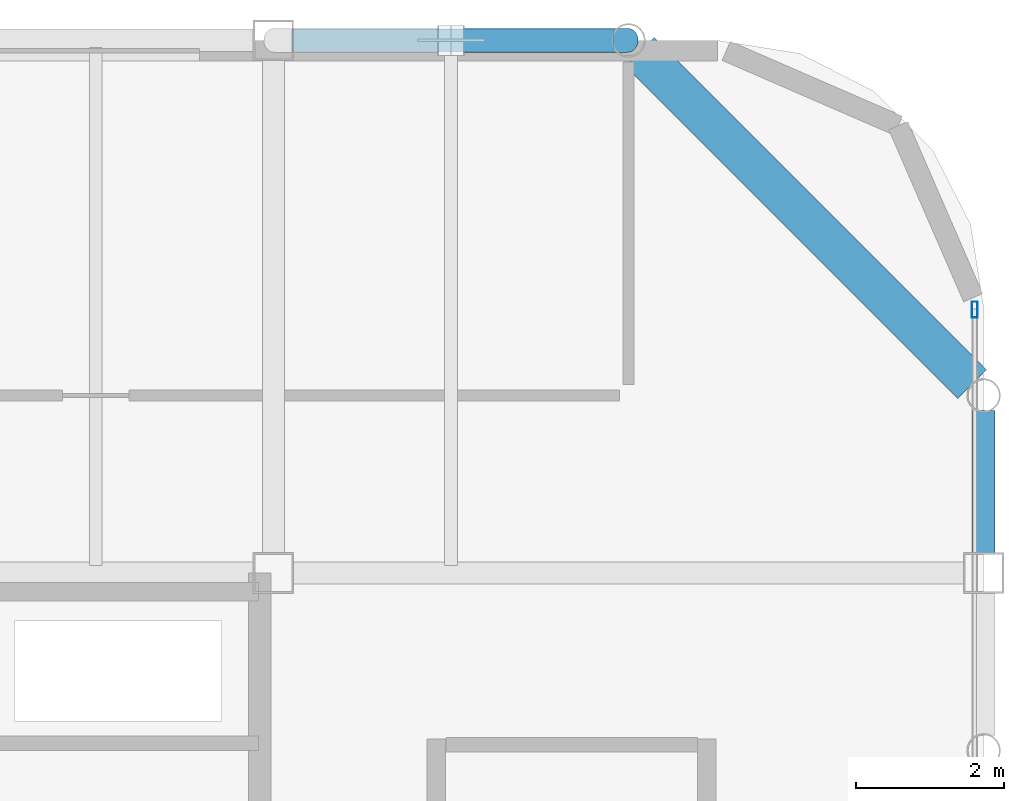
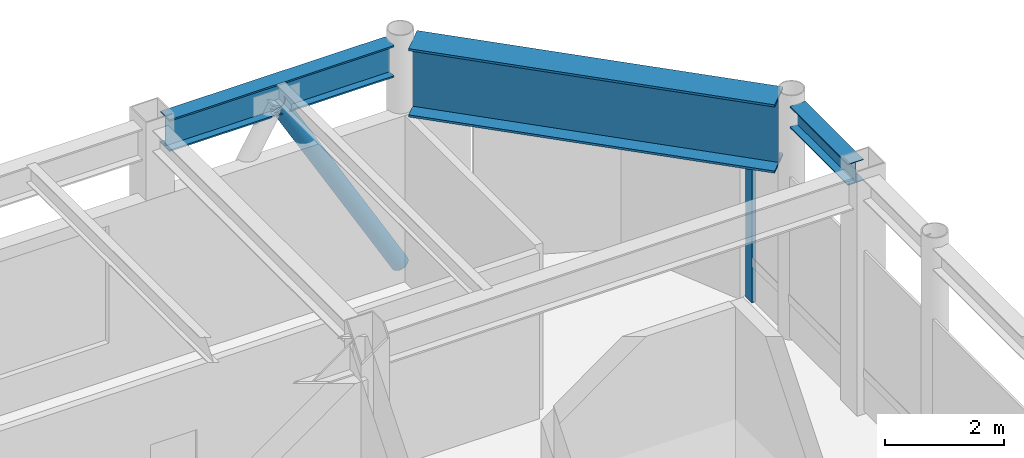
# One storey, part 15 of 21: 3 beams, 2 members, 1 element without a shape of its own.
"""IFC4 building model written with IfcOpenShell, lengths in metres."""

from ifc_helpers import new_model, si_unit, direction, frame, origin, origin_2d, place, context, subcontext, project, spatial, hollow_rectangle, hollow_circle, i_section, extrude, material, layer, layer_set, material_profile, profile_set, type_object, element, aggregate, save


model = new_model("IFC4")

# Units and contexts
model_context = context("Model", 3, precision=1e-05, world=origin(), true_north=direction((0.0, 1.0)))
body_context = subcontext(model_context, "Body", "Model", "MODEL_VIEW")
ifc_project = project(units=[si_unit("LENGTHUNIT", "METRE"), si_unit("AREAUNIT", "SQUARE_METRE"), si_unit("VOLUMEUNIT", "CUBIC_METRE"), si_unit("PLANEANGLEUNIT", "RADIAN"), si_unit("MASSUNIT", "GRAM", prefix="KILO")], contexts=[model_context])

# Site, building, storey
site_placement = place(None, origin())
site = spatial("IfcSite", under=ifc_project, at=site_placement, CompositionType="ELEMENT")
building_placement = place(site_placement, origin())
building = spatial("IfcBuilding", under=site, at=building_placement, Name="Kallvorn Hotel Tower", CompositionType="ELEMENT")
storey_placement = place(building_placement, frame((0.0, 0.0, 295.60009765625)))
storey = spatial("IfcBuildingStorey", under=building, at=storey_placement, Name="L73", CompositionType="ELEMENT", Elevation=295.60009765625)

# Beams
ifc_material_1 = material(Name="Structural steel S355JR", Category="steel")
ifc_material_profile_1 = material_profile(ifc_material_1, i_section(OverallWidth=0.300048828125, OverallDepth=0.43994140625, WebThickness=0.011474609375, FlangeThickness=0.02099609375, at=origin_2d()), Name="HE 450 A")
ifc_profile_set_1 = profile_set([ifc_material_profile_1], Name="Structural steel S355JR")
beam_type_1 = type_object("IfcBeamType", Name="BM_HE450A", PredefinedType="BEAM", material=ifc_profile_set_1)
beam_1_placement = place(storey_placement, frame((24.0, 7.449951171875, 4.579833984375), z_axis=(0.0, 1.0, 0.0), x_axis=(-1.0, 0.0, 0.0)))
element("IfcBeam", 1, at=beam_1_placement, inside=storey, type_object=beam_type_1, Name="L74 Primary Y-Girder 53", PredefinedType="BEAM", context=body_context, shape_type="SweptSolid", body=[
    extrude(i_section(OverallWidth=0.300048828125, OverallDepth=0.43994140625, WebThickness=0.011474609375, FlangeThickness=0.02099609375, at=origin_2d()), origin(), (0.0, 0.0, 1.0), 1.946533203125),
])
ifc_material_2 = material(Name="Structural steel S355JR", Category="steel")
ifc_material_profile_2 = material_profile(ifc_material_2, i_section(OverallWidth=0.300048828125, OverallDepth=0.64990234375, WebThickness=0.01611328125, FlangeThickness=0.031005859375, at=origin_2d()), Name="HE 650 B")
ifc_profile_set_2 = profile_set([ifc_material_profile_2], Name="Structural steel S355JR")
beam_type_2 = type_object("IfcBeamType", Name="BM_HE650B", PredefinedType="BEAM", material=ifc_profile_set_2)
beam_2_placement = place(storey_placement, frame((14.64990234375, 14.39990234375, 4.474853515625), z_axis=(1.0, 0.0, 0.0), x_axis=(0.0, 1.0, 0.0)))
element("IfcBeam", 2, at=beam_2_placement, inside=storey, type_object=beam_type_2, Name="L74 Primary X-Girder 24", PredefinedType="BEAM", context=body_context, shape_type="SweptSolid", body=[
    extrude(i_section(OverallWidth=0.300048828125, OverallDepth=0.64990234375, WebThickness=0.01611328125, FlangeThickness=0.031005859375, at=origin_2d()), origin(), (0.0, 0.0, 1.0), 4.3466796875),
])
ifc_material_3 = material(Name="Structural steel S355JR", Category="steel")
ifc_material_profile_3 = material_profile(ifc_material_3, i_section(OverallWidth=0.550048828125, OverallDepth=1.39990234375, WebThickness=0.02490234375, FlangeThickness=0.044921875, at=origin_2d()), Name="PG 1400x550x25x45")
ifc_profile_set_3 = profile_set([ifc_material_profile_3], Name="Structural steel S355JR")
beam_type_3 = type_object("IfcBeamType", Name="BM_PG_1400", PredefinedType="BEAM", material=ifc_profile_set_3)
beam_3_placement = place(storey_placement, frame((23.845458984375, 9.75439453125, 4.099853515625), z_axis=(-0.707087561367, 0.707126000484, 0.0), x_axis=(-0.707126000484, -0.707087561367, 0.0)))
element("IfcBeam", 3, at=beam_3_placement, inside=storey, type_object=beam_type_3, Name="L74 Rounded Corner Tie Beam 89", PredefinedType="BEAM", context=body_context, shape_type="SweptSolid", body=[
    extrude(i_section(OverallWidth=0.550048828125, OverallDepth=1.39990234375, WebThickness=0.02490234375, FlangeThickness=0.044921875, at=origin_2d()), origin(), (0.0, 0.0, 1.0), 6.351318359375),
])

# Curtain wall, member
ifc_material_4 = material(Name="Thermally broken black-anodised aluminium AA 6063-T6", Category="aluminium")
ifc_layer = layer(ifc_material_4, 0.25)
ifc_layer_set = layer_set([ifc_layer], Name="CW_SYS_6_SUMMIT_OBS")
curtain_wall_type = type_object("IfcCurtainWallType", Name="CW_SYS_6_SUMMIT_OBS", PredefinedType="USERDEFINED", material=ifc_layer_set)
curtain_wall_placement = place(storey_placement, origin())
curtain_wall = element("IfcCurtainWall", 4, at=curtain_wall_placement, inside=storey, type_object=curtain_wall_type, Name="L73 Dark-Glass Curtain Wall CW-L73-EN", ObjectType="UNITISED CURTAIN WALL", PredefinedType="USERDEFINED")
ifc_material_5 = material(Name="Thermally broken black-anodised aluminium AA 6063-T6", Category="aluminium")
ifc_material_profile_4 = material_profile(ifc_material_5, hollow_rectangle(XDim=0.080078125, YDim=0.219970703125, WallThickness=0.0048828125, at=origin_2d()), Name="MUL 220x80")
ifc_profile_set_4 = profile_set([ifc_material_profile_4], Name="Thermally broken black-anodised aluminium AA 6063-T6")
member_type_1 = type_object("IfcMemberType", Name="CW_MULLION_220x80", PredefinedType="MULLION", material=ifc_profile_set_4)
member_1_placement = place(storey_placement, frame((23.8798828125, 10.760009765625, 0.02001953125), z_axis=(0.0, 0.0, 1.0), x_axis=(1.0, 0.0, 0.0)))
member_1 = element("IfcMember", 5, at=member_1_placement, type_object=member_type_1, Name="CW-L73-EN Mullion 01", PredefinedType="MULLION", context=body_context, shape_type="SweptSolid", body=[
    extrude(hollow_rectangle(XDim=0.080078125, YDim=0.219970703125, WallThickness=0.0048828125, at=origin_2d()), origin(), (0.0, 0.0, 1.0), 3.35986328125),
])
aggregate(curtain_wall, [member_1])

# Member
ifc_material_6 = material(Name="Structural steel S355J2H", Category="steel")
ifc_material_profile_5 = material_profile(ifc_material_6, hollow_circle(Radius=0.161865234375, WallThickness=0.012451171875, at=origin_2d()), Name="CHS 323.9x12.5")
ifc_profile_set_5 = profile_set([ifc_material_profile_5], Name="Structural steel S355J2H")
member_type_2 = type_object("IfcMemberType", Name="MBR_EXO_CHS323", PredefinedType="BRACE", material=ifc_profile_set_5)
member_2_placement = place(storey_placement, frame((19.18994140625, 14.39990234375, 0.197265625), z_axis=(-0.499712098434, 0.0, 0.866191560037), x_axis=(0.0, -1.0, 0.0)))
element("IfcMember", 6, at=member_2_placement, inside=storey, type_object=member_type_2, Name="L73 Exoskeleton K-Brace N2B", PredefinedType="BRACE", context=body_context, shape_type="SweptSolid", body=[
    extrude(hollow_circle(Radius=0.161865234375, WallThickness=0.012451171875, at=origin_2d()), origin(), (0.0, 0.0, 1.0), 4.762451171875),
])

save(model, "model.ifc")
